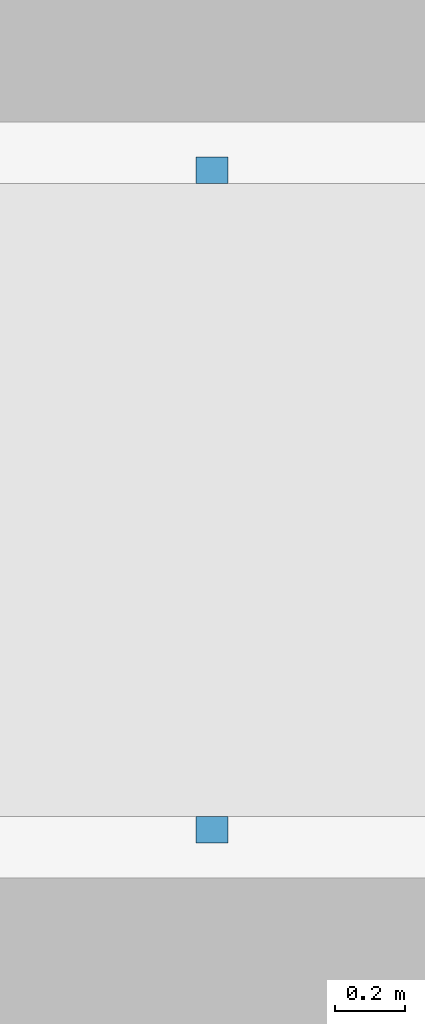
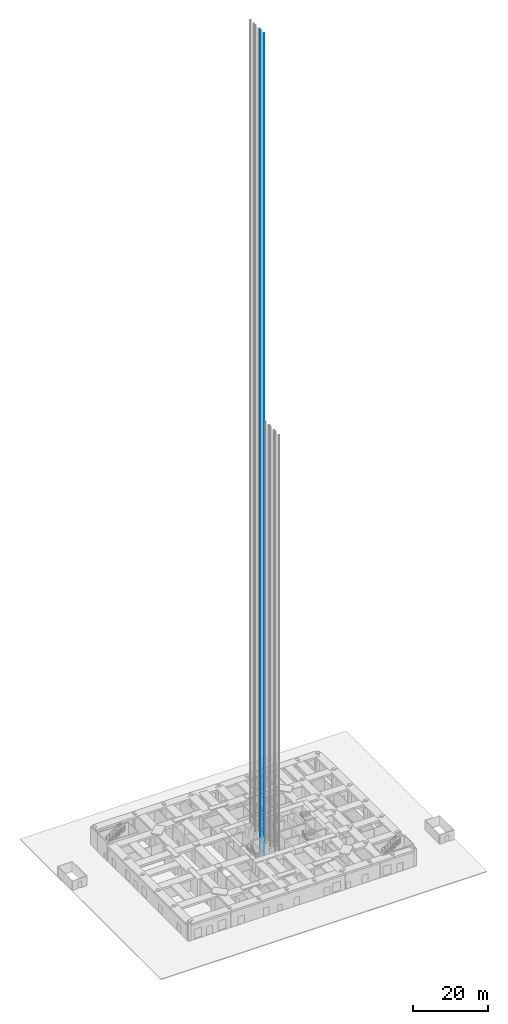
# One storey, part 12 of 17: 1 discrete accessory.
"""IFC4 building model written with IfcOpenShell, lengths in metres."""

from ifc_helpers import new_model, si_unit, direction, frame, origin, origin_2d, place, context, subcontext, project, spatial, rectangle, extrude, material, type_object, element, save


model = new_model("IFC4")

# Units and contexts
model_context = context("Model", 3, precision=1e-05, world=origin(), true_north=direction((0.0, 1.0)))
body_context = subcontext(model_context, "Body", "Model", "MODEL_VIEW")
ifc_project = project(units=[si_unit("LENGTHUNIT", "METRE"), si_unit("AREAUNIT", "SQUARE_METRE"), si_unit("VOLUMEUNIT", "CUBIC_METRE"), si_unit("PLANEANGLEUNIT", "RADIAN"), si_unit("MASSUNIT", "GRAM", prefix="KILO")], contexts=[model_context])

# Site, building, storey
site_placement = place(None, origin())
site = spatial("IfcSite", under=ifc_project, at=site_placement, CompositionType="ELEMENT")
building_placement = place(site_placement, origin())
building = spatial("IfcBuilding", under=site, at=building_placement, Name="Jalousie Tower", CompositionType="ELEMENT")
storey_placement = place(building_placement, origin())
storey = spatial("IfcBuildingStorey", under=building, at=storey_placement, Name="L00", CompositionType="ELEMENT", Elevation=0.0)

# Discrete accessory
ifc_material = material(Name="Steel ASTM A992 Grade 50", Category="steel")
discrete_accessory_type = type_object("IfcDiscreteAccessoryType", Name="LIFT GUIDE RAIL", PredefinedType="USERDEFINED", material=ifc_material)
discrete_accessory_placement = place(storey_placement, frame((27.52490234375, 19.800048828125, 0.0), z_axis=(0.0, 0.0, 1.0), x_axis=(1.0, 0.0, 0.0)))
element("IfcDiscreteAccessory", 1, at=discrete_accessory_placement, inside=storey, type_object=discrete_accessory_type, Name="Lift P4 guide rails", ObjectType="LIFT GUIDE RAILS", PredefinedType="USERDEFINED", context=body_context, shape_type="SweptSolid", body=[
    extrude(rectangle(XDim=0.09, YDim=0.075, at=origin_2d()), frame((0.0, -0.9375, 0.0)), (0.0, 0.0, 1.0), 266.25),
    extrude(rectangle(XDim=0.09, YDim=0.075, at=origin_2d()), frame((0.0, 0.9375, 0.0)), (0.0, 0.0, 1.0), 266.25),
])

save(model, "model.ifc")
